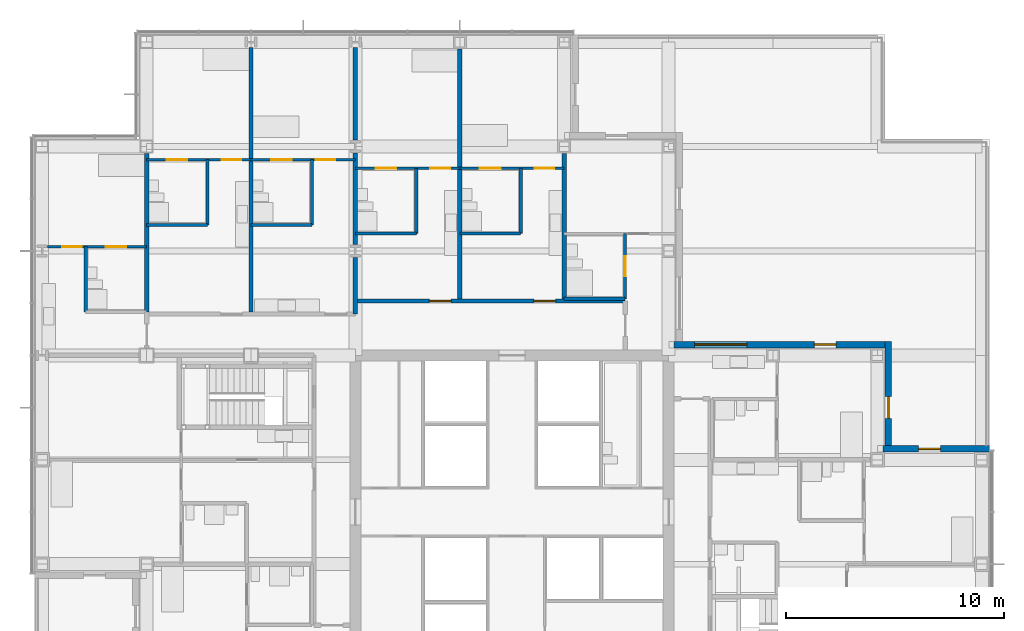
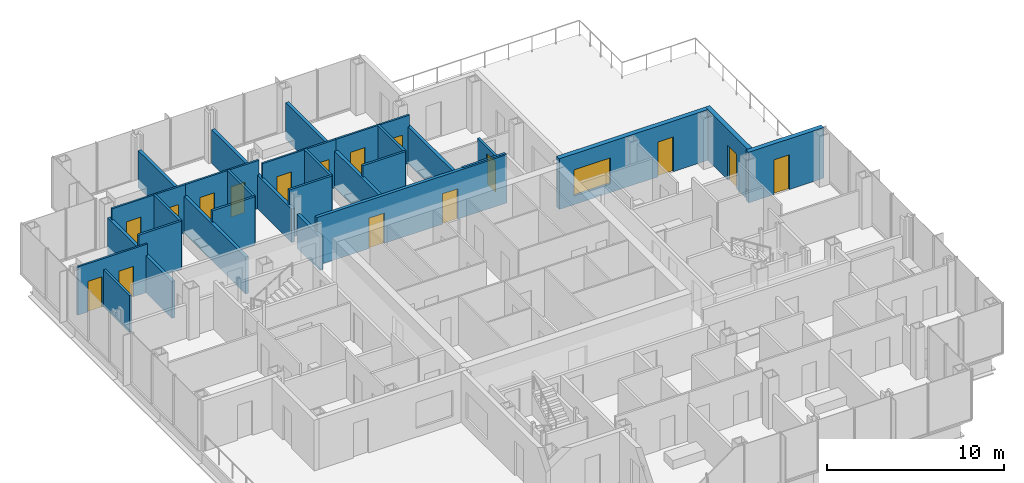
# One storey, part 15 of 19: 27 walls, 16 doors, 1 window, 17 openings.
"""IFC4 building model written with IfcOpenShell, lengths in metres."""

from ifc_helpers import new_model, si_unit, direction, frame, frame_2d, origin, place, context, subcontext, project, spatial, rectangle, extrude, material, layer, layer_set, type_object, element, fill, save


model = new_model("IFC4")

# Units and contexts
model_context = context("Model", 3, precision=1e-05, world=origin(), true_north=direction((0.0, 1.0)))
body_context = subcontext(model_context, "Body", "Model", "MODEL_VIEW")
ifc_project = project(units=[si_unit("LENGTHUNIT", "METRE"), si_unit("AREAUNIT", "SQUARE_METRE"), si_unit("VOLUMEUNIT", "CUBIC_METRE"), si_unit("PLANEANGLEUNIT", "RADIAN"), si_unit("MASSUNIT", "GRAM", prefix="KILO")], contexts=[model_context])

# Site, building, storey
site_placement = place(None, origin())
site = spatial("IfcSite", under=ifc_project, at=site_placement, CompositionType="ELEMENT")
building_placement = place(site_placement, origin())
building = spatial("IfcBuilding", under=site, at=building_placement, Name="Kvirike Care Tower", CompositionType="ELEMENT")
storey_placement = place(building_placement, frame((0.0, 0.0, 84.0)))
storey = spatial("IfcBuildingStorey", under=building, at=storey_placement, Name="L22", CompositionType="ELEMENT", Elevation=84.0)

# Walls
ifc_material_1 = material(Name="Moisture-resistant board partition", Category="gypsum")
ifc_layer_1 = layer(ifc_material_1, 0.14990234375)
ifc_layer_set_1 = layer_set([ifc_layer_1], Name="BATHROOM WALL 150")
wall_type_1 = type_object("IfcWallType", Name="BATHROOM WALL 150", PredefinedType="PARTITIONING", material=ifc_layer_set_1)
wall_1_placement = place(storey_placement, frame((12.39990234375, 52.199951171875, 0.0), z_axis=(0.0, 0.0, 1.0), x_axis=(0.0, -1.0, 0.0)))
element("IfcWall", 1, at=wall_1_placement, inside=storey, type_object=wall_type_1, Name="Bathroom Wall 150 L22", PredefinedType="PARTITIONING", context=body_context, shape_type="SweptSolid", body=[
    extrude(rectangle(XDim=3.0, YDim=0.14990234375, at=frame_2d((1.5, 0.0))), origin(), (0.0, 0.0, 1.0), 3.330078125),
])
wall_2_placement = place(storey_placement, frame((12.39990234375, 49.199951171875, 0.0), z_axis=(0.0, 0.0, 1.0), x_axis=(-1.0, 0.0, 0.0)))
element("IfcWall", 2, at=wall_2_placement, inside=storey, type_object=wall_type_1, Name="Bathroom Wall 150 L22", PredefinedType="PARTITIONING", context=body_context, shape_type="SweptSolid", body=[
    extrude(rectangle(XDim=2.7998046875, YDim=0.14990234375, at=frame_2d((1.39990234375, 0.0))), origin(), (0.0, 0.0, 1.0), 3.330078125),
])
wall_3_placement = place(storey_placement, frame((7.60009765625, 52.199951171875, 0.0), z_axis=(0.0, 0.0, 1.0), x_axis=(0.0, -1.0, 0.0)))
element("IfcWall", 3, at=wall_3_placement, inside=storey, type_object=wall_type_1, Name="Bathroom Wall 150 L22", PredefinedType="PARTITIONING", context=body_context, shape_type="SweptSolid", body=[
    extrude(rectangle(XDim=3.0, YDim=0.14990234375, at=frame_2d((1.5, 0.0))), origin(), (0.0, 0.0, 1.0), 3.330078125),
])
wall_4_placement = place(storey_placement, frame((7.60009765625, 49.199951171875, 0.0), z_axis=(0.0, 0.0, 1.0), x_axis=(-1.0, 0.0, 0.0)))
element("IfcWall", 4, at=wall_4_placement, inside=storey, type_object=wall_type_1, Name="Bathroom Wall 150 L22", PredefinedType="PARTITIONING", context=body_context, shape_type="SweptSolid", body=[
    extrude(rectangle(XDim=2.800048828125, YDim=0.14990234375, at=frame_2d((1.39990234375, 0.0))), origin(), (0.0, 0.0, 1.0), 3.330078125),
])
wall_5_placement = place(storey_placement, frame((2.0, 48.199951171875, 0.0), z_axis=(0.0, 0.0, 1.0), x_axis=(0.0, -1.0, 0.0)))
element("IfcWall", 5, at=wall_5_placement, inside=storey, type_object=wall_type_1, Name="Bathroom Wall 150 L22", PredefinedType="PARTITIONING", context=body_context, shape_type="SweptSolid", body=[
    extrude(rectangle(XDim=3.0, YDim=0.14990234375, at=frame_2d((1.5, 0.0))), origin(), (0.0, 0.0, 1.0), 2.550048828125),
])

# Wall, opening, door
wall_6_placement = place(storey_placement, frame((26.800048828125, 48.800048828125, 0.0), z_axis=(0.0, 0.0, 1.0), x_axis=(0.0, -1.0, 0.0)))
wall_6 = element("IfcWall", 6, at=wall_6_placement, inside=storey, type_object=wall_type_1, Name="Bathroom Wall 150 L22", PredefinedType="PARTITIONING", context=body_context, shape_type="SweptSolid", body=[
    extrude(rectangle(XDim=3.0, YDim=0.14990234375, at=frame_2d((1.5, 0.0))), origin(), (0.0, 0.0, 1.0), 2.550048828125),
])
opening_1_placement = place(wall_6_placement, frame((1.050048828125, 0.0, 0.0)))
opening_1 = element("IfcOpeningElement", 7, at=opening_1_placement, cuts=wall_6, Name="Opening 22-026", PredefinedType="OPENING", context=body_context, shape_type="SweptSolid", body=[
    extrude(rectangle(XDim=0.89990234375, YDim=2.10009765625, at=frame_2d((0.449951171875, 1.050048828125))), frame((0.0, 0.08544921875, 0.0), z_axis=(0.0, -1.0, 0.0), x_axis=(1.0, 0.0, 0.0)), (0.0, 0.0, 1.0), 0.1708984375),
])
ifc_material_2 = material(Name="Timber door set", Category="wood")
door_type_1 = type_object("IfcDoorType", Name="BATHROOM DOOR 900", OperationType="SINGLE_SWING_RIGHT", PredefinedType="DOOR", material=ifc_material_2)
door_1_placement = place(opening_1_placement, frame((0.89990234375, 0.0, 0.0), z_axis=(0.0, 0.0, 1.0), x_axis=(-1.0, 0.0, 0.0)))
door_1 = element("IfcDoor", 8, at=door_1_placement, inside=storey, type_object=door_type_1, Name="Assisted bathroom door", OperationType="SINGLE_SWING_LEFT", OverallHeight=2.10009765625, OverallWidth=0.89990234375, PredefinedType="DOOR", context=body_context, shape_type="SweptSolid", body=[
    extrude(rectangle(XDim=0.89990234375, YDim=2.10009765625, at=frame_2d((0.449951171875, 1.050048828125))), frame((0.0, 0.02197265625, 0.0), z_axis=(0.0, -1.0, 0.0), x_axis=(1.0, 0.0, 0.0)), (0.0, 0.0, 1.0), 0.0439453125),
])
fill(opening_1, door_1)

# Walls
wall_7_placement = place(storey_placement, frame((26.800048828125, 45.800048828125, 0.0), z_axis=(0.0, 0.0, 1.0), x_axis=(-1.0, 0.0, 0.0)))
element("IfcWall", 9, at=wall_7_placement, inside=storey, type_object=wall_type_1, Name="Bathroom Wall 150 L22", PredefinedType="PARTITIONING", context=body_context, shape_type="SweptSolid", body=[
    extrude(rectangle(XDim=2.800048828125, YDim=0.14990234375, at=frame_2d((1.39990234375, 0.0))), origin(), (0.0, 0.0, 1.0), 3.330078125),
])
wall_8_placement = place(storey_placement, frame((22.0, 51.800048828125, 0.0), z_axis=(0.0, 0.0, 1.0), x_axis=(0.0, -1.0, 0.0)))
element("IfcWall", 10, at=wall_8_placement, inside=storey, type_object=wall_type_1, Name="Bathroom Wall 150 L22", PredefinedType="PARTITIONING", context=body_context, shape_type="SweptSolid", body=[
    extrude(rectangle(XDim=3.0, YDim=0.14990234375, at=frame_2d((1.5, 0.0))), origin(), (0.0, 0.0, 1.0), 3.330078125),
])
wall_9_placement = place(storey_placement, frame((22.0, 48.800048828125, 0.0), z_axis=(0.0, 0.0, 1.0), x_axis=(-1.0, 0.0, 0.0)))
element("IfcWall", 11, at=wall_9_placement, inside=storey, type_object=wall_type_1, Name="Bathroom Wall 150 L22", PredefinedType="PARTITIONING", context=body_context, shape_type="SweptSolid", body=[
    extrude(rectangle(XDim=2.800048828125, YDim=0.14990234375, at=frame_2d((1.39990234375, 0.0))), origin(), (0.0, 0.0, 1.0), 3.330078125),
])
wall_10_placement = place(storey_placement, frame((17.199951171875, 51.800048828125, 0.0), z_axis=(0.0, 0.0, 1.0), x_axis=(0.0, -1.0, 0.0)))
element("IfcWall", 12, at=wall_10_placement, inside=storey, type_object=wall_type_1, Name="Bathroom Wall 150 L22", PredefinedType="PARTITIONING", context=body_context, shape_type="SweptSolid", body=[
    extrude(rectangle(XDim=3.0, YDim=0.14990234375, at=frame_2d((1.5, 0.0))), origin(), (0.0, 0.0, 1.0), 3.330078125),
])
wall_11_placement = place(storey_placement, frame((17.199951171875, 48.800048828125, 0.0), z_axis=(0.0, 0.0, 1.0), x_axis=(-1.0, 0.0, 0.0)))
element("IfcWall", 13, at=wall_11_placement, inside=storey, type_object=wall_type_1, Name="Bathroom Wall 150 L22", PredefinedType="PARTITIONING", context=body_context, shape_type="SweptSolid", body=[
    extrude(rectangle(XDim=2.800048828125, YDim=0.14990234375, at=frame_2d((1.39990234375, 0.0))), origin(), (0.0, 0.0, 1.0), 3.330078125),
])

# Wall, openings, doors
ifc_material_3 = material(Name="Plasterboard corridor wall", Category="gypsum")
ifc_layer_2 = layer(ifc_material_3, 0.199951171875)
ifc_layer_set_2 = layer_set([ifc_layer_2], Name="CORRIDOR WALL 200")
wall_type_2 = type_object("IfcWallType", Name="CORRIDOR WALL 200", PredefinedType="PARTITIONING", material=ifc_layer_set_2)
wall_12_placement = place(storey_placement, frame((26.800048828125, 45.699951171875, 0.0), z_axis=(0.0, 0.0, 1.0), x_axis=(-1.0, 0.0, 0.0)))
wall_12 = element("IfcWall", 14, at=wall_12_placement, inside=storey, type_object=wall_type_2, Name="Corridor Wall 200 L22", PredefinedType="PARTITIONING", context=body_context, shape_type="SweptSolid", body=[
    extrude(rectangle(XDim=12.400146484375, YDim=0.199951171875, at=frame_2d((6.2001953125, 0.0))), origin(), (0.0, 0.0, 1.0), 3.330078125),
])
opening_2_placement = place(wall_12_placement, frame((3.199951171875, 0.0, 0.0)))
opening_2 = element("IfcOpeningElement", 15, at=opening_2_placement, cuts=wall_12, Name="Opening 22-032", PredefinedType="OPENING", context=body_context, shape_type="SweptSolid", body=[
    extrude(rectangle(XDim=1.0, YDim=2.10009765625, at=frame_2d((0.5, 1.050048828125))), frame((0.0, 0.110595703125, 0.0), z_axis=(0.0, -1.0, 0.0), x_axis=(1.0, 0.0, 0.0)), (0.0, 0.0, 1.0), 0.220947265625),
])
opening_3_placement = place(wall_12_placement, frame((8.0, 0.0, 0.0)))
opening_3 = element("IfcOpeningElement", 16, at=opening_3_placement, cuts=wall_12, Name="Opening 22-033", PredefinedType="OPENING", context=body_context, shape_type="SweptSolid", body=[
    extrude(rectangle(XDim=1.0, YDim=2.10009765625, at=frame_2d((0.5, 1.050048828125))), frame((0.0, 0.110595703125, 0.0), z_axis=(0.0, -1.0, 0.0), x_axis=(1.0, 0.0, 0.0)), (0.0, 0.0, 1.0), 0.220947265625),
])
ifc_material_4 = material(Name="Timber door set", Category="wood")
door_type_2 = type_object("IfcDoorType", Name="FLAT ENTRANCE DOOR 1000", OperationType="SINGLE_SWING_LEFT", PredefinedType="DOOR", material=ifc_material_4)
door_2_placement = place(opening_2_placement, frame((1.0, 0.0, 0.0), z_axis=(0.0, 0.0, 1.0), x_axis=(-1.0, 0.0, 0.0)))
door_2 = element("IfcDoor", 17, at=door_2_placement, inside=storey, type_object=door_type_2, Name="Assisted living suite entrance", OperationType="SINGLE_SWING_LEFT", OverallHeight=2.10009765625, OverallWidth=1.0, PredefinedType="DOOR", context=body_context, shape_type="SweptSolid", body=[
    extrude(rectangle(XDim=1.0, YDim=2.10009765625, at=frame_2d((0.5, 1.050048828125))), frame((0.0, 0.02685546875, 0.0), z_axis=(0.0, -1.0, 0.0), x_axis=(1.0, 0.0, 0.0)), (0.0, 0.0, 1.0), 0.053955078125),
])
fill(opening_2, door_2)
door_3_placement = place(opening_3_placement, frame((1.0, 0.0, 0.0), z_axis=(0.0, 0.0, 1.0), x_axis=(-1.0, 0.0, 0.0)))
door_3 = element("IfcDoor", 18, at=door_3_placement, inside=storey, type_object=door_type_2, Name="Assisted living suite entrance", OperationType="SINGLE_SWING_LEFT", OverallHeight=2.10009765625, OverallWidth=1.0, PredefinedType="DOOR", context=body_context, shape_type="SweptSolid", body=[
    extrude(rectangle(XDim=1.0, YDim=2.10009765625, at=frame_2d((0.5, 1.050048828125))), frame((0.0, 0.02685546875, 0.0), z_axis=(0.0, -1.0, 0.0), x_axis=(1.0, 0.0, 0.0)), (0.0, 0.0, 1.0), 0.053955078125),
])
fill(opening_3, door_3)

ifc_material_5 = material(Name="Plasterboard partition", Category="gypsum")
ifc_layer_3 = layer(ifc_material_5, 0.1201171875)
ifc_layer_set_3 = layer_set([ifc_layer_3], Name="PARTITION 120")
wall_type_3 = type_object("IfcWallType", Name="PARTITION 120", PredefinedType="PARTITIONING", material=ifc_layer_set_3)
wall_13_placement = place(storey_placement, frame((14.39990234375, 52.199951171875, 0.0), z_axis=(0.0, 0.0, 1.0), x_axis=(-1.0, 0.0, 0.0)))
wall_13 = element("IfcWall", 19, at=wall_13_placement, inside=storey, type_object=wall_type_3, Name="Partition 120 L22", PredefinedType="PARTITIONING", context=body_context, shape_type="SweptSolid", body=[
    extrude(rectangle(XDim=4.7998046875, YDim=0.1201171875, at=frame_2d((2.39990234375, 0.0))), origin(), (0.0, 0.0, 1.0), 3.330078125),
])
opening_4_placement = place(wall_13_placement, frame((0.925048828125, 0.0, 0.0)))
opening_4 = element("IfcOpeningElement", 20, at=opening_4_placement, cuts=wall_13, Name="Opening 22-009", PredefinedType="OPENING", context=body_context, shape_type="SweptSolid", body=[
    extrude(rectangle(XDim=0.89990234375, YDim=2.10009765625, at=frame_2d((0.449951171875, 1.050048828125))), frame((0.0, 0.070556640625, 0.0), z_axis=(0.0, -1.0, 0.0), x_axis=(1.0, 0.0, 0.0)), (0.0, 0.0, 1.0), 0.14111328125),
])
opening_5_placement = place(wall_13_placement, frame((2.925048828125, 0.0, 0.0)))
opening_5 = element("IfcOpeningElement", 21, at=opening_5_placement, cuts=wall_13, Name="Opening 22-010", PredefinedType="OPENING", context=body_context, shape_type="SweptSolid", body=[
    extrude(rectangle(XDim=0.949951171875, YDim=2.10009765625, at=frame_2d((0.47509765625, 1.050048828125))), frame((0.0, 0.070556640625, 0.0), z_axis=(0.0, -1.0, 0.0), x_axis=(1.0, 0.0, 0.0)), (0.0, 0.0, 1.0), 0.14111328125),
])
ifc_material_6 = material(Name="Timber door set", Category="wood")
door_type_3 = type_object("IfcDoorType", Name="EN-SUITE SLIDING DOOR 950", OperationType="SLIDING_TO_LEFT", PredefinedType="DOOR", material=ifc_material_6)
door_4_placement = place(opening_5_placement, origin())
door_4 = element("IfcDoor", 22, at=door_4_placement, inside=storey, type_object=door_type_3, Name="En-suite door", OperationType="SLIDING_TO_LEFT", OverallHeight=2.10009765625, OverallWidth=0.949951171875, PredefinedType="DOOR", context=body_context, shape_type="SweptSolid", body=[
    extrude(rectangle(XDim=0.949951171875, YDim=2.10009765625, at=frame_2d((0.47509765625, 1.050048828125))), frame((0.0, 0.02197265625, 0.0), z_axis=(0.0, -1.0, 0.0), x_axis=(1.0, 0.0, 0.0)), (0.0, 0.0, 1.0), 0.0439453125),
])
fill(opening_5, door_4)
ifc_material_7 = material(Name="Timber door set", Category="wood")
door_type_4 = type_object("IfcDoorType", Name="INTERNAL DOOR 900", OperationType="SINGLE_SWING_LEFT", PredefinedType="DOOR", material=ifc_material_7)
door_5_placement = place(opening_4_placement, origin())
door_5 = element("IfcDoor", 23, at=door_5_placement, inside=storey, type_object=door_type_4, Name="Assisted living suite door", OperationType="SINGLE_SWING_LEFT", OverallHeight=2.10009765625, OverallWidth=0.89990234375, PredefinedType="DOOR", context=body_context, shape_type="SweptSolid", body=[
    extrude(rectangle(XDim=0.89990234375, YDim=2.10009765625, at=frame_2d((0.449951171875, 1.050048828125))), frame((0.0, 0.02197265625, 0.0), z_axis=(0.0, -1.0, 0.0), x_axis=(1.0, 0.0, 0.0)), (0.0, 0.0, 1.0), 0.0439453125),
])
fill(opening_4, door_5)

wall_14_placement = place(storey_placement, frame((9.60009765625, 52.199951171875, 0.0), z_axis=(0.0, 0.0, 1.0), x_axis=(-1.0, 0.0, 0.0)))
wall_14 = element("IfcWall", 24, at=wall_14_placement, inside=storey, type_object=wall_type_3, Name="Partition 120 L22", PredefinedType="PARTITIONING", context=body_context, shape_type="SweptSolid", body=[
    extrude(rectangle(XDim=4.800048828125, YDim=0.1201171875, at=frame_2d((2.39990234375, 0.0))), origin(), (0.0, 0.0, 1.0), 3.330078125),
])
opening_6_placement = place(wall_14_placement, frame((0.449951171875, 0.0, 0.0)))
opening_6 = element("IfcOpeningElement", 25, at=opening_6_placement, cuts=wall_14, Name="Opening 22-011", PredefinedType="OPENING", context=body_context, shape_type="SweptSolid", body=[
    extrude(rectangle(XDim=0.89990234375, YDim=2.10009765625, at=frame_2d((0.449951171875, 1.050048828125))), frame((0.0, 0.070556640625, 0.0), z_axis=(0.0, -1.0, 0.0), x_axis=(1.0, 0.0, 0.0)), (0.0, 0.0, 1.0), 0.14111328125),
])
opening_7_placement = place(wall_14_placement, frame((2.925048828125, 0.0, 0.0)))
opening_7 = element("IfcOpeningElement", 26, at=opening_7_placement, cuts=wall_14, Name="Opening 22-012", PredefinedType="OPENING", context=body_context, shape_type="SweptSolid", body=[
    extrude(rectangle(XDim=0.949951171875, YDim=2.10009765625, at=frame_2d((0.47509765625, 1.050048828125))), frame((0.0, 0.070556640625, 0.0), z_axis=(0.0, -1.0, 0.0), x_axis=(1.0, 0.0, 0.0)), (0.0, 0.0, 1.0), 0.14111328125),
])
door_6_placement = place(opening_7_placement, origin())
door_6 = element("IfcDoor", 27, at=door_6_placement, inside=storey, type_object=door_type_3, Name="En-suite door", OperationType="SLIDING_TO_RIGHT", OverallHeight=2.10009765625, OverallWidth=0.949951171875, PredefinedType="DOOR", context=body_context, shape_type="SweptSolid", body=[
    extrude(rectangle(XDim=0.949951171875, YDim=2.10009765625, at=frame_2d((0.47509765625, 1.050048828125))), frame((0.0, 0.02197265625, 0.0), z_axis=(0.0, -1.0, 0.0), x_axis=(1.0, 0.0, 0.0)), (0.0, 0.0, 1.0), 0.0439453125),
])
fill(opening_7, door_6)
door_7_placement = place(opening_6_placement, origin())
door_7 = element("IfcDoor", 28, at=door_7_placement, inside=storey, type_object=door_type_4, Name="Assisted living suite door", OperationType="SINGLE_SWING_RIGHT", OverallHeight=2.10009765625, OverallWidth=0.89990234375, PredefinedType="DOOR", context=body_context, shape_type="SweptSolid", body=[
    extrude(rectangle(XDim=0.89990234375, YDim=2.10009765625, at=frame_2d((0.449951171875, 1.050048828125))), frame((0.0, 0.02197265625, 0.0), z_axis=(0.0, -1.0, 0.0), x_axis=(1.0, 0.0, 0.0)), (0.0, 0.0, 1.0), 0.0439453125),
])
fill(opening_6, door_7)

wall_15_placement = place(storey_placement, frame((4.800048828125, 48.199951171875, 0.0), z_axis=(0.0, 0.0, 1.0), x_axis=(-1.0, 0.0, 0.0)))
wall_15 = element("IfcWall", 29, at=wall_15_placement, inside=storey, type_object=wall_type_3, Name="Partition 120 L22", PredefinedType="PARTITIONING", context=body_context, shape_type="SweptSolid", body=[
    extrude(rectangle(XDim=4.552978515625, YDim=0.1201171875, at=frame_2d((2.2763671875, 0.0))), origin(), (0.0, 0.0, 1.0), 3.330078125),
])
opening_8_placement = place(wall_15_placement, frame((2.97509765625, 0.0, 0.0)))
opening_8 = element("IfcOpeningElement", 30, at=opening_8_placement, cuts=wall_15, Name="Opening 22-013", PredefinedType="OPENING", context=body_context, shape_type="SweptSolid", body=[
    extrude(rectangle(XDim=0.89990234375, YDim=2.10009765625, at=frame_2d((0.449951171875, 1.050048828125))), frame((0.0, 0.070556640625, 0.0), z_axis=(0.0, -1.0, 0.0), x_axis=(1.0, 0.0, 0.0)), (0.0, 0.0, 1.0), 0.14111328125),
])
opening_9_placement = place(wall_15_placement, frame((0.925048828125, 0.0, 0.0)))
opening_9 = element("IfcOpeningElement", 31, at=opening_9_placement, cuts=wall_15, Name="Opening 22-014", PredefinedType="OPENING", context=body_context, shape_type="SweptSolid", body=[
    extrude(rectangle(XDim=0.949951171875, YDim=2.10009765625, at=frame_2d((0.47509765625, 1.050048828125))), frame((0.0, 0.070556640625, 0.0), z_axis=(0.0, -1.0, 0.0), x_axis=(1.0, 0.0, 0.0)), (0.0, 0.0, 1.0), 0.14111328125),
])
door_8_placement = place(opening_9_placement, origin())
door_8 = element("IfcDoor", 32, at=door_8_placement, inside=storey, type_object=door_type_3, Name="En-suite door", OperationType="SLIDING_TO_RIGHT", OverallHeight=2.10009765625, OverallWidth=0.949951171875, PredefinedType="DOOR", context=body_context, shape_type="SweptSolid", body=[
    extrude(rectangle(XDim=0.949951171875, YDim=2.10009765625, at=frame_2d((0.47509765625, 1.050048828125))), frame((0.0, 0.02197265625, 0.0), z_axis=(0.0, -1.0, 0.0), x_axis=(1.0, 0.0, 0.0)), (0.0, 0.0, 1.0), 0.0439453125),
])
fill(opening_9, door_8)
door_9_placement = place(opening_8_placement, origin())
door_9 = element("IfcDoor", 33, at=door_9_placement, inside=storey, type_object=door_type_4, Name="Assisted living suite door", OperationType="SINGLE_SWING_RIGHT", OverallHeight=2.10009765625, OverallWidth=0.89990234375, PredefinedType="DOOR", context=body_context, shape_type="SweptSolid", body=[
    extrude(rectangle(XDim=0.89990234375, YDim=2.10009765625, at=frame_2d((0.449951171875, 1.050048828125))), frame((0.0, 0.02197265625, 0.0), z_axis=(0.0, -1.0, 0.0), x_axis=(1.0, 0.0, 0.0)), (0.0, 0.0, 1.0), 0.0439453125),
])
fill(opening_8, door_9)

wall_16_placement = place(storey_placement, frame((24.0, 51.800048828125, 0.0), z_axis=(0.0, 0.0, 1.0), x_axis=(-1.0, 0.0, 0.0)))
wall_16 = element("IfcWall", 34, at=wall_16_placement, inside=storey, type_object=wall_type_3, Name="Partition 120 L22", PredefinedType="PARTITIONING", context=body_context, shape_type="SweptSolid", body=[
    extrude(rectangle(XDim=4.800048828125, YDim=0.1201171875, at=frame_2d((2.39990234375, 0.0))), origin(), (0.0, 0.0, 1.0), 3.330078125),
])
opening_10_placement = place(wall_16_placement, frame((0.449951171875, 0.0, 0.0)))
opening_10 = element("IfcOpeningElement", 35, at=opening_10_placement, cuts=wall_16, Name="Opening 22-028", PredefinedType="OPENING", context=body_context, shape_type="SweptSolid", body=[
    extrude(rectangle(XDim=0.89990234375, YDim=2.10009765625, at=frame_2d((0.449951171875, 1.050048828125))), frame((0.0, 0.070556640625, 0.0), z_axis=(0.0, -1.0, 0.0), x_axis=(1.0, 0.0, 0.0)), (0.0, 0.0, 1.0), 0.14111328125),
])
opening_11_placement = place(wall_16_placement, frame((2.925048828125, 0.0, 0.0)))
opening_11 = element("IfcOpeningElement", 36, at=opening_11_placement, cuts=wall_16, Name="Opening 22-029", PredefinedType="OPENING", context=body_context, shape_type="SweptSolid", body=[
    extrude(rectangle(XDim=0.949951171875, YDim=2.10009765625, at=frame_2d((0.47509765625, 1.050048828125))), frame((0.0, 0.070556640625, 0.0), z_axis=(0.0, -1.0, 0.0), x_axis=(1.0, 0.0, 0.0)), (0.0, 0.0, 1.0), 0.14111328125),
])
door_10_placement = place(opening_11_placement, origin())
door_10 = element("IfcDoor", 37, at=door_10_placement, inside=storey, type_object=door_type_3, Name="En-suite door", OperationType="SLIDING_TO_LEFT", OverallHeight=2.10009765625, OverallWidth=0.949951171875, PredefinedType="DOOR", context=body_context, shape_type="SweptSolid", body=[
    extrude(rectangle(XDim=0.949951171875, YDim=2.10009765625, at=frame_2d((0.47509765625, 1.050048828125))), frame((0.0, 0.02197265625, 0.0), z_axis=(0.0, -1.0, 0.0), x_axis=(1.0, 0.0, 0.0)), (0.0, 0.0, 1.0), 0.0439453125),
])
fill(opening_11, door_10)
door_11_placement = place(opening_10_placement, origin())
door_11 = element("IfcDoor", 38, at=door_11_placement, inside=storey, type_object=door_type_4, Name="Assisted living suite door", OperationType="SINGLE_SWING_RIGHT", OverallHeight=2.10009765625, OverallWidth=0.89990234375, PredefinedType="DOOR", context=body_context, shape_type="SweptSolid", body=[
    extrude(rectangle(XDim=0.89990234375, YDim=2.10009765625, at=frame_2d((0.449951171875, 1.050048828125))), frame((0.0, 0.02197265625, 0.0), z_axis=(0.0, -1.0, 0.0), x_axis=(1.0, 0.0, 0.0)), (0.0, 0.0, 1.0), 0.0439453125),
])
fill(opening_10, door_11)

wall_17_placement = place(storey_placement, frame((19.199951171875, 51.800048828125, 0.0), z_axis=(0.0, 0.0, 1.0), x_axis=(-1.0, 0.0, 0.0)))
wall_17 = element("IfcWall", 39, at=wall_17_placement, inside=storey, type_object=wall_type_3, Name="Partition 120 L22", PredefinedType="PARTITIONING", context=body_context, shape_type="SweptSolid", body=[
    extrude(rectangle(XDim=4.800048828125, YDim=0.1201171875, at=frame_2d((2.39990234375, 0.0))), origin(), (0.0, 0.0, 1.0), 3.330078125),
])
opening_12_placement = place(wall_17_placement, frame((0.449951171875, 0.0, 0.0)))
opening_12 = element("IfcOpeningElement", 40, at=opening_12_placement, cuts=wall_17, Name="Opening 22-030", PredefinedType="OPENING", context=body_context, shape_type="SweptSolid", body=[
    extrude(rectangle(XDim=0.89990234375, YDim=2.10009765625, at=frame_2d((0.449951171875, 1.050048828125))), frame((0.0, 0.070556640625, 0.0), z_axis=(0.0, -1.0, 0.0), x_axis=(1.0, 0.0, 0.0)), (0.0, 0.0, 1.0), 0.14111328125),
])
opening_13_placement = place(wall_17_placement, frame((2.925048828125, 0.0, 0.0)))
opening_13 = element("IfcOpeningElement", 41, at=opening_13_placement, cuts=wall_17, Name="Opening 22-031", PredefinedType="OPENING", context=body_context, shape_type="SweptSolid", body=[
    extrude(rectangle(XDim=0.949951171875, YDim=2.10009765625, at=frame_2d((0.47509765625, 1.050048828125))), frame((0.0, 0.070556640625, 0.0), z_axis=(0.0, -1.0, 0.0), x_axis=(1.0, 0.0, 0.0)), (0.0, 0.0, 1.0), 0.14111328125),
])
door_12_placement = place(opening_13_placement, origin())
door_12 = element("IfcDoor", 42, at=door_12_placement, inside=storey, type_object=door_type_3, Name="En-suite door", OperationType="SLIDING_TO_LEFT", OverallHeight=2.10009765625, OverallWidth=0.949951171875, PredefinedType="DOOR", context=body_context, shape_type="SweptSolid", body=[
    extrude(rectangle(XDim=0.949951171875, YDim=2.10009765625, at=frame_2d((0.47509765625, 1.050048828125))), frame((0.0, 0.02197265625, 0.0), z_axis=(0.0, -1.0, 0.0), x_axis=(1.0, 0.0, 0.0)), (0.0, 0.0, 1.0), 0.0439453125),
])
fill(opening_13, door_12)
door_13_placement = place(opening_12_placement, origin())
door_13 = element("IfcDoor", 43, at=door_13_placement, inside=storey, type_object=door_type_4, Name="Assisted living suite door", OperationType="SINGLE_SWING_RIGHT", OverallHeight=2.10009765625, OverallWidth=0.89990234375, PredefinedType="DOOR", context=body_context, shape_type="SweptSolid", body=[
    extrude(rectangle(XDim=0.89990234375, YDim=2.10009765625, at=frame_2d((0.449951171875, 1.050048828125))), frame((0.0, 0.02197265625, 0.0), z_axis=(0.0, -1.0, 0.0), x_axis=(1.0, 0.0, 0.0)), (0.0, 0.0, 1.0), 0.0439453125),
])
fill(opening_12, door_13)

# Walls
ifc_material_8 = material(Name="Plasterboard party wall", Category="gypsum")
ifc_layer_4 = layer(ifc_material_8, 0.199951171875)
ifc_layer_set_4 = layer_set([ifc_layer_4], Name="PARTY WALL 200")
wall_type_4 = type_object("IfcWallType", Name="PARTY WALL 200", PredefinedType="PARTITIONING", material=ifc_layer_set_4)
wall_18_placement = place(storey_placement, frame((9.60009765625, 57.35302734375, 0.0), z_axis=(0.0, 0.0, 1.0), x_axis=(0.0, -1.0, 0.0)))
element("IfcWall", 44, at=wall_18_placement, inside=storey, type_object=wall_type_4, Name="Party Wall 200 L22", PredefinedType="PARTITIONING", context=body_context, shape_type="SweptSolid", body=[
    extrude(rectangle(XDim=12.153076171875, YDim=0.199951171875, at=frame_2d((6.07666015625, 0.0))), origin(), (0.0, 0.0, 1.0), 2.550048828125),
])
wall_19_placement = place(storey_placement, frame((4.800048828125, 52.47998046875, 0.0), z_axis=(0.0, 0.0, 1.0), x_axis=(0.0, -1.0, 0.0)))
element("IfcWall", 45, at=wall_19_placement, inside=storey, type_object=wall_type_4, Name="Party Wall 200 L22", PredefinedType="PARTITIONING", context=body_context, shape_type="SweptSolid", body=[
    extrude(rectangle(XDim=7.280029296875, YDim=0.199951171875, at=frame_2d((3.64013671875, 0.0))), origin(), (0.0, 0.0, 1.0), 2.550048828125),
])
wall_20_placement = place(storey_placement, frame((24.0, 52.47998046875, 0.0), z_axis=(0.0, 0.0, 1.0), x_axis=(0.0, -1.0, 0.0)))
element("IfcWall", 46, at=wall_20_placement, inside=storey, type_object=wall_type_4, Name="Party Wall 200 L22", PredefinedType="PARTITIONING", context=body_context, shape_type="SweptSolid", body=[
    extrude(rectangle(XDim=6.679931640625, YDim=0.199951171875, at=frame_2d((3.33984375, 0.0))), origin(), (0.0, 0.0, 1.0), 2.550048828125),
])
wall_21_placement = place(storey_placement, frame((19.199951171875, 57.280029296875, 0.0), z_axis=(0.0, 0.0, 1.0), x_axis=(0.0, -1.0, 0.0)))
element("IfcWall", 47, at=wall_21_placement, inside=storey, type_object=wall_type_4, Name="Party Wall 200 L22", PredefinedType="PARTITIONING", context=body_context, shape_type="SweptSolid", body=[
    extrude(rectangle(XDim=11.47998046875, YDim=0.199951171875, at=frame_2d((5.739990234375, 0.0))), origin(), (0.0, 0.0, 1.0), 2.550048828125),
])
wall_22_placement = place(storey_placement, frame((14.39990234375, 45.10009765625, 0.0), z_axis=(0.0, 0.0, 1.0), x_axis=(0.0, 1.0, 0.0)))
element("IfcWall", 48, at=wall_22_placement, inside=storey, type_object=wall_type_4, Name="Party Wall 200 L22", PredefinedType="PARTITIONING", context=body_context, shape_type="SweptSolid", body=[
    extrude(rectangle(XDim=2.60498046875, YDim=0.199951171875, at=frame_2d((1.302490234375, 0.0))), origin(), (0.0, 0.0, 1.0), 2.320068359375),
])
wall_23_placement = place(storey_placement, frame((14.39990234375, 48.294921875, 0.0), z_axis=(0.0, 0.0, 1.0), x_axis=(0.0, 1.0, 0.0)))
element("IfcWall", 49, at=wall_23_placement, inside=storey, type_object=wall_type_4, Name="Party Wall 200 L22", PredefinedType="PARTITIONING", context=body_context, shape_type="SweptSolid", body=[
    extrude(rectangle(XDim=4.2099609375, YDim=0.199951171875, at=frame_2d((2.10498046875, 0.0))), origin(), (0.0, 0.0, 1.0), 2.320068359375),
])
wall_24_placement = place(storey_placement, frame((14.39990234375, 53.094970703125, 0.0), z_axis=(0.0, 0.0, 1.0), x_axis=(0.0, 1.0, 0.0)))
element("IfcWall", 50, at=wall_24_placement, inside=storey, type_object=wall_type_4, Name="Party Wall 200 L22", PredefinedType="PARTITIONING", context=body_context, shape_type="SweptSolid", body=[
    extrude(rectangle(XDim=4.258056640625, YDim=0.199951171875, at=frame_2d((2.12890625, 0.0))), origin(), (0.0, 0.0, 1.0), 2.320068359375),
])

# Wall, opening, door
ifc_material_9 = material(Name="Bronze-clad insulated blockwork wall", Category="masonry")
ifc_layer_5 = layer(ifc_material_9, 0.300048828125)
ifc_layer_set_5 = layer_set([ifc_layer_5], Name="TERRACE WALL 300")
wall_type_5 = type_object("IfcWallType", Name="TERRACE WALL 300", PredefinedType="SOLIDWALL", material=ifc_layer_set_5)
wall_25_placement = place(storey_placement, frame((43.550048828125, 38.89990234375, 0.0), z_axis=(0.0, 0.0, 1.0), x_axis=(-1.0, 0.0, 0.0)))
wall_25 = element("IfcWall", 51, at=wall_25_placement, inside=storey, type_object=wall_type_5, Name="Terrace wall L22 face 2", PredefinedType="SOLIDWALL", context=body_context, shape_type="SweptSolid", body=[
    extrude(rectangle(XDim=4.900146484375, YDim=0.300048828125, at=frame_2d((2.4501953125, 0.0))), origin(), (0.0, 0.0, 1.0), 3.5),
])
opening_14_placement = place(wall_25_placement, frame((2.25, 0.0, 0.0)))
opening_14 = element("IfcOpeningElement", 52, at=opening_14_placement, cuts=wall_25, Name="Opening 22-801", PredefinedType="OPENING", context=body_context, shape_type="SweptSolid", body=[
    extrude(rectangle(XDim=1.0, YDim=2.39990234375, at=frame_2d((0.5, 1.199951171875))), frame((0.0, 0.16064453125, 0.0), z_axis=(0.0, -1.0, 0.0), x_axis=(1.0, 0.0, 0.0)), (0.0, 0.0, 1.0), 0.321044921875),
])
ifc_material_10 = material(Name="Aluminium door frame", Category="aluminium")
door_type_5 = type_object("IfcDoorType", Name="TERRACE DOOR 1000", OperationType="SINGLE_SWING_LEFT", PredefinedType="DOOR", material=ifc_material_10)
door_14_placement = place(opening_14_placement, origin())
door_14 = element("IfcDoor", 53, at=door_14_placement, inside=storey, type_object=door_type_5, Name="Assisted living suite terrace door", OperationType="SINGLE_SWING_LEFT", OverallHeight=2.39990234375, OverallWidth=1.0, PredefinedType="DOOR", context=body_context, shape_type="SweptSolid", body=[
    extrude(rectangle(XDim=1.0, YDim=2.39990234375, at=frame_2d((0.5, 1.199951171875))), frame((0.0, 0.03515625, 0.0), z_axis=(0.0, -1.0, 0.0), x_axis=(1.0, 0.0, 0.0)), (0.0, 0.0, 1.0), 0.070068359375),
])
fill(opening_14, door_14)

wall_26_placement = place(storey_placement, frame((38.89990234375, 39.050048828125, 0.0), z_axis=(0.0, 0.0, 1.0), x_axis=(0.0, 1.0, 0.0)))
wall_26 = element("IfcWall", 54, at=wall_26_placement, inside=storey, type_object=wall_type_5, Name="Terrace wall L22 face 3", PredefinedType="SOLIDWALL", context=body_context, shape_type="SweptSolid", body=[
    extrude(rectangle(XDim=4.800048828125, YDim=0.300048828125, at=frame_2d((2.39990234375, 0.0))), origin(), (0.0, 0.0, 1.0), 3.5),
])
opening_15_placement = place(wall_26_placement, frame((1.25, 0.0, 0.0)))
opening_15 = element("IfcOpeningElement", 55, at=opening_15_placement, cuts=wall_26, Name="Opening 22-802", PredefinedType="OPENING", context=body_context, shape_type="SweptSolid", body=[
    extrude(rectangle(XDim=1.0, YDim=2.39990234375, at=frame_2d((0.5, 1.199951171875))), frame((0.0, 0.16064453125, 0.0), z_axis=(0.0, -1.0, 0.0), x_axis=(1.0, 0.0, 0.0)), (0.0, 0.0, 1.0), 0.321044921875),
])
door_15_placement = place(opening_15_placement, origin())
door_15 = element("IfcDoor", 56, at=door_15_placement, inside=storey, type_object=door_type_5, Name="Assisted living suite terrace door", OperationType="SINGLE_SWING_LEFT", OverallHeight=2.39990234375, OverallWidth=1.0, PredefinedType="DOOR", context=body_context, shape_type="SweptSolid", body=[
    extrude(rectangle(XDim=1.0, YDim=2.39990234375, at=frame_2d((0.5, 1.199951171875))), frame((0.0, 0.03515625, 0.0), z_axis=(0.0, -1.0, 0.0), x_axis=(1.0, 0.0, 0.0)), (0.0, 0.0, 1.0), 0.070068359375),
])
fill(opening_15, door_15)

# Wall, openings, door, window
wall_27_placement = place(storey_placement, frame((38.75, 43.699951171875, 0.0), z_axis=(0.0, 0.0, 1.0), x_axis=(-1.0, 0.0, 0.0)))
wall_27 = element("IfcWall", 57, at=wall_27_placement, inside=storey, type_object=wall_type_5, Name="Terrace wall L22 face 4", PredefinedType="SOLIDWALL", context=body_context, shape_type="SweptSolid", body=[
    extrude(rectangle(XDim=9.699951171875, YDim=0.300048828125, at=frame_2d((4.85009765625, 0.0))), origin(), (0.0, 0.0, 1.0), 3.5),
])
opening_16_placement = place(wall_27_placement, frame((2.25, 0.0, 0.0)))
opening_16 = element("IfcOpeningElement", 58, at=opening_16_placement, cuts=wall_27, Name="Opening 22-803", PredefinedType="OPENING", context=body_context, shape_type="SweptSolid", body=[
    extrude(rectangle(XDim=1.0, YDim=2.39990234375, at=frame_2d((0.5, 1.199951171875))), frame((0.0, 0.16064453125, 0.0), z_axis=(0.0, -1.0, 0.0), x_axis=(1.0, 0.0, 0.0)), (0.0, 0.0, 1.0), 0.321044921875),
])
opening_17_placement = place(wall_27_placement, frame((6.35009765625, 0.0, 0.60009765625)))
opening_17 = element("IfcOpeningElement", 59, at=opening_17_placement, cuts=wall_27, Name="Opening W01", PredefinedType="OPENING", context=body_context, shape_type="SweptSolid", body=[
    extrude(rectangle(XDim=2.39990234375, YDim=1.800048828125, at=frame_2d((1.199951171875, 0.89990234375))), frame((0.0, 0.16064453125, 0.0), z_axis=(0.0, -1.0, 0.0), x_axis=(1.0, 0.0, 0.0)), (0.0, 0.0, 1.0), 0.321044921875),
])
door_16_placement = place(opening_16_placement, origin())
door_16 = element("IfcDoor", 60, at=door_16_placement, inside=storey, type_object=door_type_5, Name="Assisted living suite terrace door", OperationType="SINGLE_SWING_LEFT", OverallHeight=2.39990234375, OverallWidth=1.0, PredefinedType="DOOR", context=body_context, shape_type="SweptSolid", body=[
    extrude(rectangle(XDim=1.0, YDim=2.39990234375, at=frame_2d((0.5, 1.199951171875))), frame((0.0, 0.03515625, 0.0), z_axis=(0.0, -1.0, 0.0), x_axis=(1.0, 0.0, 0.0)), (0.0, 0.0, 1.0), 0.070068359375),
])
fill(opening_16, door_16)
ifc_material_11 = material(Name="Bronze anodised aluminium window", Category="aluminium")
window_type = type_object("IfcWindowType", Name="TERRACE WINDOW 2400", PartitioningType="SINGLE_PANEL", PredefinedType="WINDOW", material=ifc_material_11)
window_placement = place(opening_17_placement, origin())
window = element("IfcWindow", 61, at=window_placement, inside=storey, type_object=window_type, Name="Terrace Window 2400 L22", OverallHeight=1.800048828125, OverallWidth=2.39990234375, PartitioningType="SINGLE_PANEL", PredefinedType="WINDOW", context=body_context, shape_type="SweptSolid", body=[
    extrude(rectangle(XDim=2.39990234375, YDim=1.800048828125, at=frame_2d((1.199951171875, 0.89990234375))), frame((0.0, 0.030029296875, 0.0), z_axis=(0.0, -1.0, 0.0), x_axis=(1.0, 0.0, 0.0)), (0.0, 0.0, 1.0), 0.06005859375),
])
fill(opening_17, window)

save(model, "model.ifc")
